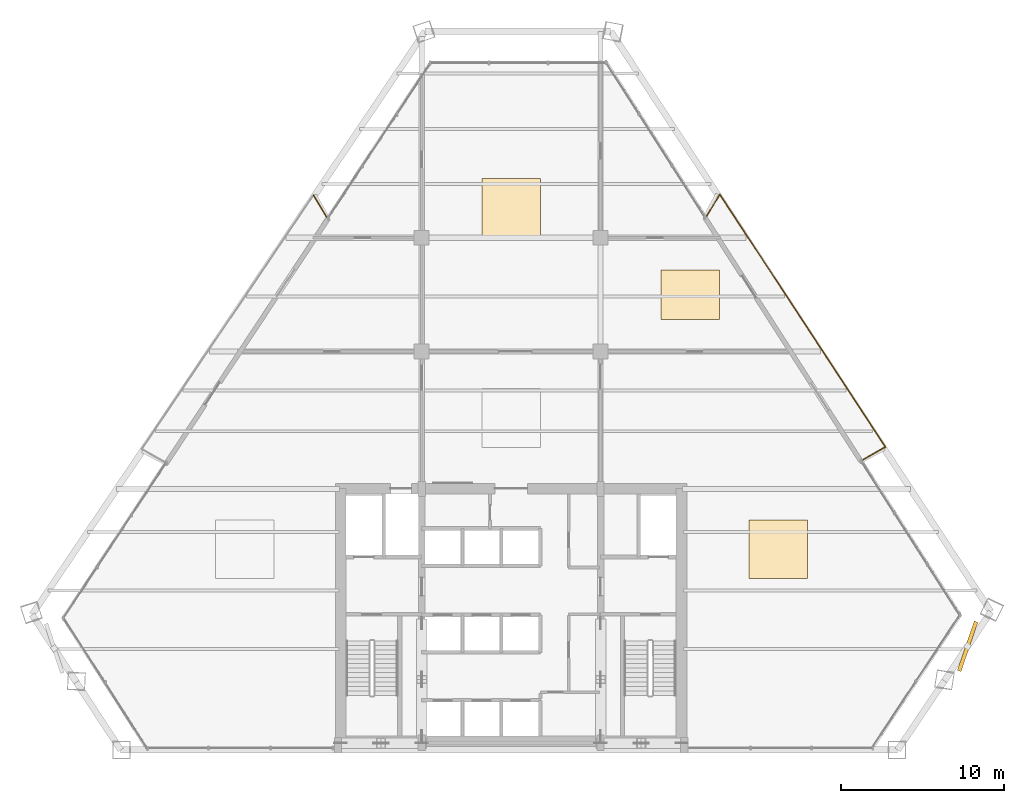
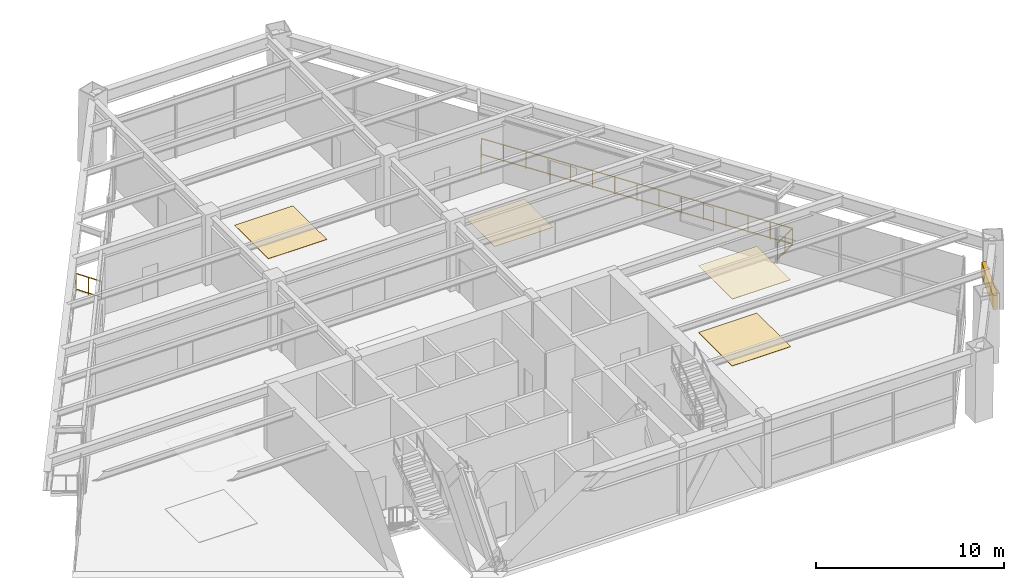
# One storey, part 12 of 12: 4 coverings, 4 railings, 1 shading device.
"""IFC4 building model written with IfcOpenShell, lengths in metres."""

from ifc_helpers import new_model, si_unit, direction, frame, origin, origin_2d, place, context, subcontext, project, spatial, rectangle, extrude, source, transform, mapped, material, layer, layer_set, type_object, type_shapes, element, save


model = new_model("IFC4")

# Units and contexts
model_context = context("Model", 3, precision=1e-05, world=origin(), true_north=direction((0.0, 1.0)))
body_context = subcontext(model_context, "Body", "Model", "MODEL_VIEW")
ifc_project = project(units=[si_unit("LENGTHUNIT", "METRE"), si_unit("AREAUNIT", "SQUARE_METRE"), si_unit("VOLUMEUNIT", "CUBIC_METRE"), si_unit("PLANEANGLEUNIT", "RADIAN"), si_unit("MASSUNIT", "GRAM", prefix="KILO")], contexts=[model_context])

# Site, building, storey
site_placement = place(None, origin())
site = spatial("IfcSite", under=ifc_project, at=site_placement, CompositionType="ELEMENT")
building_placement = place(site_placement, origin())
building = spatial("IfcBuilding", under=site, at=building_placement, Name="Varnakhor Terracotta Tower", CompositionType="ELEMENT")
storey_placement = place(building_placement, frame((0.0, 0.0, 121.0)))
storey = spatial("IfcBuildingStorey", under=building, at=storey_placement, Name="L30", CompositionType="ELEMENT", Elevation=121.0)

# Railings
ifc_material_1 = material(Name="Stainless Steel & Laminated Glass Guardrail", Category="steel")
railing_type = type_object("IfcRailingType", Name="RLG-LOGGIA-GUARD-1150", PredefinedType="GUARDRAIL", material=ifc_material_1)
railing_1_placement = place(storey_placement, frame((12.025146484375, 32.8310546875, 0.0)))
element("IfcRailing", 1, at=railing_1_placement, inside=storey, type_object=railing_type, Name="L30 E Loggia Glass Guard 1", PredefinedType="GUARDRAIL", context=body_context, shape_type="SweptSolid", body=[
    extrude(rectangle(XDim=0.048095703125, YDim=0.048095703125, at=origin_2d()), frame((0.0, 0.0, 1.1259765625), z_axis=(0.516172925266, 0.856484390531, 0.0), x_axis=(-0.856484390531, 0.516172925266, 0.0)), (0.0, 0.0, 1.0), 1.561767578125),
    extrude(rectangle(XDim=0.048095703125, YDim=0.048095703125, at=origin_2d()), frame((0.0, 0.0, 0.10009765625), z_axis=(0.516172925266, 0.856484390531, 0.0), x_axis=(-0.856484390531, 0.516172925266, 0.0)), (0.0, 0.0, 1.0), 1.561767578125),
    extrude(rectangle(XDim=0.0419921875, YDim=0.0419921875, at=origin_2d()), origin(), (0.0, 0.0, 1.0), 1.101806640625),
    extrude(rectangle(XDim=0.0419921875, YDim=0.0419921875, at=origin_2d()), frame((0.403076171875, 0.6689453125, 0.0)), (0.0, 0.0, 1.0), 1.101806640625),
    extrude(rectangle(XDim=0.0419921875, YDim=0.0419921875, at=origin_2d()), frame((0.80615234375, 1.337646484375, 0.0)), (0.0, 0.0, 1.0), 1.101806640625),
])
railing_2_placement = place(storey_placement, frame((12.831298828125, 34.168701171875, 0.0)))
element("IfcRailing", 2, at=railing_2_placement, inside=storey, type_object=railing_type, Name="L30 E Loggia Glass Guard 2", PredefinedType="GUARDRAIL", context=body_context, shape_type="SweptSolid", body=[
    extrude(rectangle(XDim=0.048095703125, YDim=0.048095703125, at=origin_2d()), frame((0.0, 0.0, 1.1259765625), z_axis=(0.548349728268, -0.836249110917, 0.0), x_axis=(0.836249110917, 0.548349728268, 0.0)), (0.0, 0.0, 1.0), 18.5712890625),
    extrude(rectangle(XDim=0.048095703125, YDim=0.048095703125, at=origin_2d()), frame((0.0, 0.0, 0.10009765625), z_axis=(0.548349728268, -0.836249110917, 0.0), x_axis=(0.836249110917, 0.548349728268, 0.0)), (0.0, 0.0, 1.0), 18.5712890625),
    extrude(rectangle(XDim=0.0419921875, YDim=0.0419921875, at=origin_2d()), origin(), (0.0, 0.0, 1.0), 1.101806640625),
    extrude(rectangle(XDim=0.0419921875, YDim=0.0419921875, at=origin_2d()), frame((0.727294921875, -1.109375, 0.0)), (0.0, 0.0, 1.0), 1.101806640625),
    extrude(rectangle(XDim=0.0419921875, YDim=0.0419921875, at=origin_2d()), frame((1.454833984375, -2.218505859375, 0.0)), (0.0, 0.0, 1.0), 1.101806640625),
    extrude(rectangle(XDim=0.0419921875, YDim=0.0419921875, at=origin_2d()), frame((2.18212890625, -3.327880859375, 0.0)), (0.0, 0.0, 1.0), 1.101806640625),
    extrude(rectangle(XDim=0.0419921875, YDim=0.0419921875, at=origin_2d()), frame((2.90966796875, -4.437255859375, 0.0)), (0.0, 0.0, 1.0), 1.101806640625),
    extrude(rectangle(XDim=0.0419921875, YDim=0.0419921875, at=origin_2d()), frame((3.636962890625, -5.546630859375, 0.0)), (0.0, 0.0, 1.0), 1.101806640625),
    extrude(rectangle(XDim=0.0419921875, YDim=0.0419921875, at=origin_2d()), frame((4.364501953125, -6.65576171875, 0.0)), (0.0, 0.0, 1.0), 1.101806640625),
    extrude(rectangle(XDim=0.0419921875, YDim=0.0419921875, at=origin_2d()), frame((5.091796875, -7.76513671875, 0.0)), (0.0, 0.0, 1.0), 1.101806640625),
    extrude(rectangle(XDim=0.0419921875, YDim=0.0419921875, at=origin_2d()), frame((5.819091796875, -8.87451171875, 0.0)), (0.0, 0.0, 1.0), 1.101806640625),
    extrude(rectangle(XDim=0.0419921875, YDim=0.0419921875, at=origin_2d()), frame((6.546630859375, -9.983642578125, 0.0)), (0.0, 0.0, 1.0), 1.101806640625),
    extrude(rectangle(XDim=0.0419921875, YDim=0.0419921875, at=origin_2d()), frame((7.27392578125, -11.093017578125, 0.0)), (0.0, 0.0, 1.0), 1.101806640625),
    extrude(rectangle(XDim=0.0419921875, YDim=0.0419921875, at=origin_2d()), frame((8.00146484375, -12.202392578125, 0.0)), (0.0, 0.0, 1.0), 1.101806640625),
    extrude(rectangle(XDim=0.0419921875, YDim=0.0419921875, at=origin_2d()), frame((8.728759765625, -13.311767578125, 0.0)), (0.0, 0.0, 1.0), 1.101806640625),
    extrude(rectangle(XDim=0.0419921875, YDim=0.0419921875, at=origin_2d()), frame((9.456298828125, -14.4208984375, 0.0)), (0.0, 0.0, 1.0), 1.101806640625),
    extrude(rectangle(XDim=0.0419921875, YDim=0.0419921875, at=origin_2d()), frame((10.18359375, -15.5302734375, 0.0)), (0.0, 0.0, 1.0), 1.101806640625),
])
railing_3_placement = place(storey_placement, frame((23.014892578125, 18.638427734375, 0.0)))
element("IfcRailing", 3, at=railing_3_placement, inside=storey, type_object=railing_type, Name="L30 E Loggia Glass Guard 3", PredefinedType="GUARDRAIL", context=body_context, shape_type="SweptSolid", body=[
    extrude(rectangle(XDim=0.048095703125, YDim=0.048095703125, at=origin_2d()), frame((0.0, 0.0, 1.1259765625), z_axis=(-0.865988023682, -0.500064738649, 0.0), x_axis=(0.500064738649, -0.865988023682, 0.0)), (0.0, 0.0, 1.0), 1.605224609375),
    extrude(rectangle(XDim=0.048095703125, YDim=0.048095703125, at=origin_2d()), frame((0.0, 0.0, 0.10009765625), z_axis=(-0.865988023682, -0.500064738649, 0.0), x_axis=(0.500064738649, -0.865988023682, 0.0)), (0.0, 0.0, 1.0), 1.605224609375),
    extrude(rectangle(XDim=0.0419921875, YDim=0.0419921875, at=origin_2d()), origin(), (0.0, 0.0, 1.0), 1.101806640625),
    extrude(rectangle(XDim=0.0419921875, YDim=0.0419921875, at=origin_2d()), frame((-0.695068359375, -0.4013671875, 0.0)), (0.0, 0.0, 1.0), 1.101806640625),
    extrude(rectangle(XDim=0.0419921875, YDim=0.0419921875, at=origin_2d()), frame((-1.39013671875, -0.802734375, 0.0)), (0.0, 0.0, 1.0), 1.101806640625),
])
railing_4_placement = place(storey_placement, frame((-12.161376953125, 34.12158203125, 0.0)))
element("IfcRailing", 4, at=railing_4_placement, inside=storey, type_object=railing_type, Name="L30 W Loggia Glass Guard 3", PredefinedType="GUARDRAIL", context=body_context, shape_type="SweptSolid", body=[
    extrude(rectangle(XDim=0.048095703125, YDim=0.048095703125, at=origin_2d()), frame((0.0, 0.0, 1.1259765625), z_axis=(0.517892971849, -0.855445421818, 0.0), x_axis=(0.855445421818, 0.517892971849, 0.0)), (0.0, 0.0, 1.0), 1.562255859375),
    extrude(rectangle(XDim=0.048095703125, YDim=0.048095703125, at=origin_2d()), frame((0.0, 0.0, 0.10009765625), z_axis=(0.517892971849, -0.855445421818, 0.0), x_axis=(0.855445421818, 0.517892971849, 0.0)), (0.0, 0.0, 1.0), 1.562255859375),
    extrude(rectangle(XDim=0.0419921875, YDim=0.0419921875, at=origin_2d()), origin(), (0.0, 0.0, 1.0), 1.101806640625),
    extrude(rectangle(XDim=0.0419921875, YDim=0.0419921875, at=origin_2d()), frame((0.404541015625, -0.668212890625, 0.0)), (0.0, 0.0, 1.0), 1.101806640625),
    extrude(rectangle(XDim=0.0419921875, YDim=0.0419921875, at=origin_2d()), frame((0.80908203125, -1.33642578125, 0.0)), (0.0, 0.0, 1.0), 1.101806640625),
])

# Shading device
ifc_material_2 = material(Name="Extruded Architectural Terracotta Screen", Category="masonry")
shading_device_type = type_object("IfcShadingDeviceType", Name="TERRACOTTA SOLAR SCREEN E", PredefinedType="USERDEFINED", material=ifc_material_2)
shared_shape_1 = source(origin(), body_context, "Body", "SweptSolid", [
    extrude(rectangle(XDim=3.199951171875, YDim=0.239990234375, at=origin_2d()), origin(), (0.0, 0.0, 1.0), 0.919921875),
])
type_shapes(shading_device_type, [shared_shape_1])
shading_device_placement = place(storey_placement, frame((28.07177734375, 6.376220703125, 2.610107421875), z_axis=(0.0, 0.0, 1.0), x_axis=(0.325254590729, 0.945626486098, 0.0)))
element("IfcShadingDevice", 5, at=shading_device_placement, inside=storey, type_object=shading_device_type, Name="L30 E Terracotta Solar Screen", ObjectType="SCREEN", PredefinedType="USERDEFINED", context=body_context, shape_type="MappedRepresentation", body=[
    mapped(shared_shape_1, transform((0.0, 0.0, 0.0), scale=1.0)),
])

# Coverings
ifc_material_3 = material(Name="Honed Riyadh Limestone Flooring", Category="masonry")
ifc_layer_1 = layer(ifc_material_3, 0.030029296875, Name="Honed Riyadh Limestone Flooring")
ifc_layer_set_1 = layer_set([ifc_layer_1], Name="Honed Riyadh Limestone Flooring")
covering_type_1 = type_object("IfcCoveringType", Name="COV-FLOOR-LIMESTONE", PredefinedType="FLOORING", material=ifc_layer_set_1)
shared_shape_2 = source(origin(), body_context, "Body", "SweptSolid", [
    extrude(rectangle(XDim=3.60009765625, YDim=3.60009765625, at=origin_2d()), origin(), (0.0, 0.0, 1.0), 0.02001953125),
])
for number, where, z_axis, x_axis, name in (
    (6, (16.430908203125, 12.345947265625, 0.0), (0.0, 0.0, 1.0), (1.0, 0.0, 0.0), "L30 Honed Stone Flooring 2"),
    (7, (0.0, 33.341064453125, 0.0), (0.0, 0.0, 1.0), (1.0, 0.0, 0.0), "L30 Honed Stone Flooring 5"),
):
    element("IfcCovering", number, at=place(storey_placement, frame(where, z_axis=z_axis, x_axis=x_axis)), inside=storey, type_object=covering_type_1, Name=name, PredefinedType="FLOORING", context=body_context, shape_type="MappedRepresentation", body=[
        mapped(shared_shape_2, transform((0.0, 0.0, 0.0), scale=1.0)),
    ])
ifc_material_4 = material(Name="Perforated Acoustic Mineral-Fibre Ceiling", Category="gypsum")
ifc_layer_2 = layer(ifc_material_4, 0.02490234375, Name="Perforated Acoustic Mineral-Fibre Ceiling")
ifc_layer_set_2 = layer_set([ifc_layer_2], Name="Perforated Acoustic Mineral-Fibre Ceiling")
covering_type_2 = type_object("IfcCoveringType", Name="COV-CEILING-ACOUSTIC", PredefinedType="CEILING", material=ifc_layer_set_2)
shared_shape_3 = source(origin(), body_context, "Body", "SweptSolid", [
    extrude(rectangle(XDim=3.60009765625, YDim=3.60009765625, at=origin_2d()), origin(), (0.0, 0.0, 1.0), 0.02392578125),
])
covering_1_placement = place(storey_placement, frame((16.430908203125, 12.345947265625, 4.345947265625), z_axis=(0.0, 0.0, 1.0), x_axis=(1.0, 0.0, 0.0)))
element("IfcCovering", 8, at=covering_1_placement, inside=storey, type_object=covering_type_2, Name="L30 Acoustic Ceiling Panel 2", PredefinedType="CEILING", context=body_context, shape_type="MappedRepresentation", body=[
    mapped(shared_shape_3, transform((0.0, 0.0, 0.0), scale=1.0)),
])
shared_shape_4 = source(origin(), body_context, "Body", "SweptSolid", [
    extrude(rectangle(XDim=3.60009765625, YDim=3.044921875, at=origin_2d()), origin(), (0.0, 0.0, 1.0), 0.02001953125),
])
covering_2_placement = place(storey_placement, frame((11.010009765625, 28.006103515625, 0.0), z_axis=(0.0, 0.0, 1.0), x_axis=(1.0, 0.0, 0.0)))
element("IfcCovering", 9, at=covering_2_placement, inside=storey, type_object=covering_type_1, Name="L30 Honed Stone Flooring 4", PredefinedType="FLOORING", context=body_context, shape_type="MappedRepresentation", body=[
    mapped(shared_shape_4, transform((0.0, 0.0, 0.0), scale=1.0)),
])

save(model, "model.ifc")
